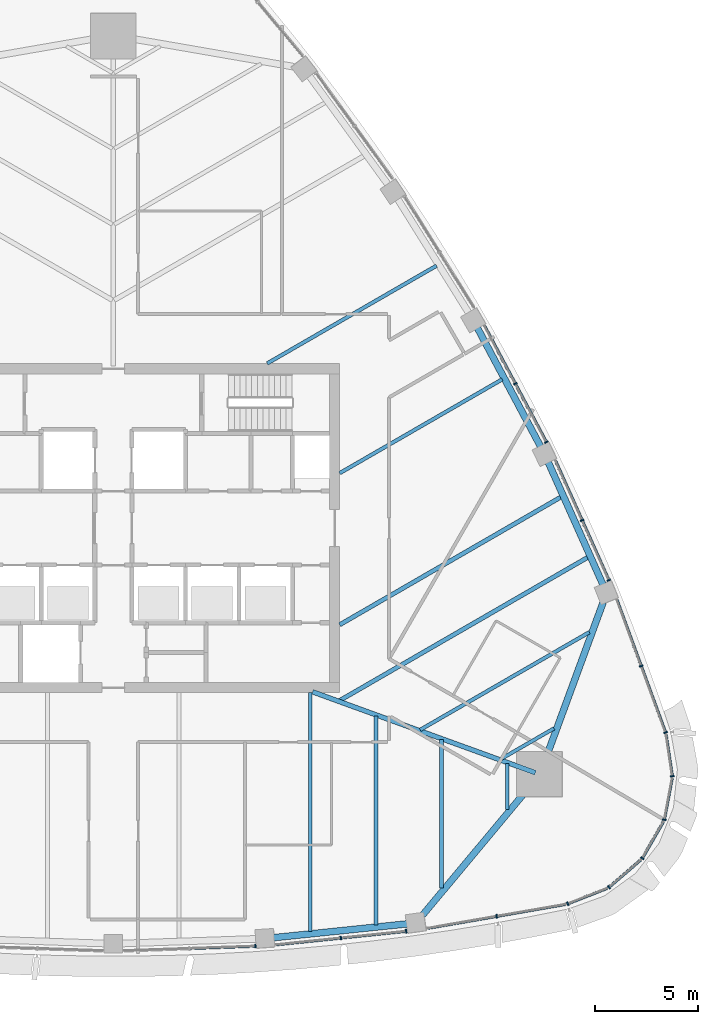
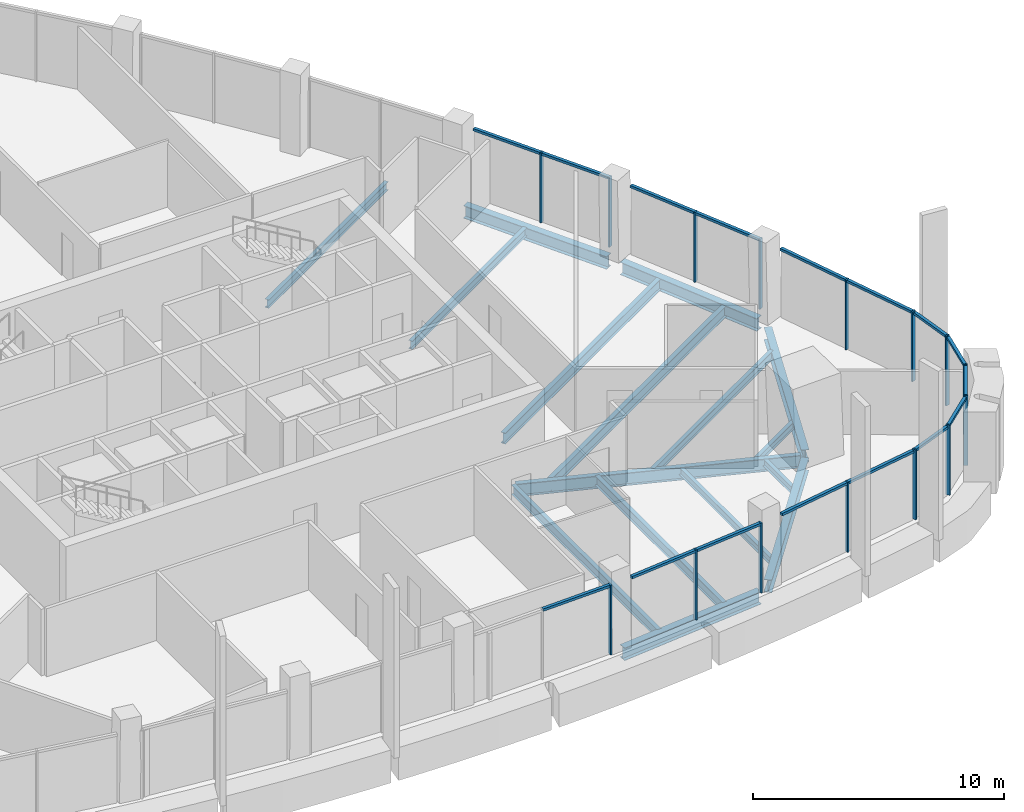
# One storey, part 4 of 18: 31 members, 16 beams, 11 elements without a shape of their own.
"""IFC4 building model written with IfcOpenShell, lengths in metres."""

from ifc_helpers import new_model, si_unit, direction, frame, origin, origin_2d, place, context, subcontext, project, spatial, rectangle, i_section, extrude, material, layer, layer_set, material_profile, profile_set, type_object, element, aggregate, save


model = new_model("IFC4")

# Units and contexts
model_context = context("Model", 3, precision=1e-05, world=origin(), true_north=direction((0.0, 1.0)))
body_context = subcontext(model_context, "Body", "Model", "MODEL_VIEW")
ifc_project = project(units=[si_unit("LENGTHUNIT", "METRE"), si_unit("AREAUNIT", "SQUARE_METRE"), si_unit("VOLUMEUNIT", "CUBIC_METRE"), si_unit("PLANEANGLEUNIT", "RADIAN"), si_unit("MASSUNIT", "GRAM", prefix="KILO")], contexts=[model_context])

# Site, building, storey
site_placement = place(None, origin())
site = spatial("IfcSite", under=ifc_project, at=site_placement, CompositionType="ELEMENT")
building_placement = place(site_placement, origin())
building = spatial("IfcBuilding", under=site, at=building_placement, Name="Sierra Prisma Convention Tower", CompositionType="ELEMENT")
storey_placement = place(building_placement, frame((0.0, 0.0, 287.0)))
storey = spatial("IfcBuildingStorey", under=building, at=storey_placement, Name="L65", CompositionType="ELEMENT", Elevation=287.0)

# Curtain wall, member
ifc_material_1 = material(Name="Aluminium and glass curtain wall", Category="aluminium")
ifc_layer = layer(ifc_material_1, 0.179931640625)
ifc_layer_set = layer_set([ifc_layer], Name="CW-1 Plain shaft curtain wall")
curtain_wall_type = type_object("IfcCurtainWallType", Name="CW-1 Plain shaft curtain wall", PredefinedType="NOTDEFINED", material=ifc_layer_set)
curtain_wall_1_placement = place(storey_placement, origin())
curtain_wall_1 = element("IfcCurtainWall", 1, at=curtain_wall_1_placement, inside=storey, type_object=curtain_wall_type, Name="CW-1 S4 L65", PredefinedType="NOTDEFINED")
ifc_material_2 = material(Name="Aluminium 6063-T6 bronze anodised", Category="aluminium")
ifc_material_profile_1 = material_profile(ifc_material_2, rectangle(XDim=0.179931640625, YDim=0.070068359375, at=origin_2d()), Name="ALU MULLION 70x180")
ifc_profile_set_1 = profile_set([ifc_material_profile_1], Name="Aluminium 6063-T6 bronze anodised")
member_type_1 = type_object("IfcMemberType", Name="CW mullion bronze", PredefinedType="MULLION", material=ifc_profile_set_1)
member_1_placement = place(storey_placement, frame((6.900390625, -20.3154296875, 0.0), z_axis=(0.0, 0.0, 1.0), x_axis=(-0.034385660465, 0.999408638323, 0.0)))
member_1 = element("IfcMember", 2, at=member_1_placement, type_object=member_type_1, Name="CW-1 mullion S4.3", PredefinedType="MULLION", context=body_context, shape_type="SweptSolid", body=[
    extrude(rectangle(XDim=0.179931640625, YDim=0.070068359375, at=origin_2d()), origin(), (0.0, 0.0, 1.0), 3.39990234375),
])

# Curtain wall, members
curtain_wall_2_placement = place(storey_placement, origin())
curtain_wall_2 = element("IfcCurtainWall", 3, at=curtain_wall_2_placement, inside=storey, type_object=curtain_wall_type, Name="CW-1 S5 L65", PredefinedType="NOTDEFINED")
member_2_placement = place(storey_placement, frame((11.056640625, -19.91943359375, 0.0), z_axis=(0.0, 0.0, 1.0), x_axis=(-0.1029943546, 0.994681940582, 0.0)))
member_2 = element("IfcMember", 4, at=member_2_placement, type_object=member_type_1, Name="CW-1 mullion S5.2", PredefinedType="MULLION", context=body_context, shape_type="SweptSolid", body=[
    extrude(rectangle(XDim=0.179931640625, YDim=0.070068359375, at=origin_2d()), origin(), (0.0, 0.0, 1.0), 3.39990234375),
])
member_3_placement = place(storey_placement, frame((14.2333984375, -19.590576171875, 0.0), z_axis=(0.0, 0.0, 1.0), x_axis=(-0.1029943546, 0.994681940582, 0.0)))
member_3 = element("IfcMember", 5, at=member_3_placement, type_object=member_type_1, Name="CW-1 mullion S5.3", PredefinedType="MULLION", context=body_context, shape_type="SweptSolid", body=[
    extrude(rectangle(XDim=0.179931640625, YDim=0.070068359375, at=origin_2d()), origin(), (0.0, 0.0, 1.0), 3.39990234375),
])

# Curtain wall, member
curtain_wall_3_placement = place(storey_placement, origin())
curtain_wall_3 = element("IfcCurtainWall", 6, at=curtain_wall_3_placement, inside=storey, type_object=curtain_wall_type, Name="CW-1 S6 L65", PredefinedType="NOTDEFINED")
member_4_placement = place(storey_placement, frame((18.627197265625, -18.8642578125, 0.0), z_axis=(0.0, 0.0, 1.0), x_axis=(-0.171115937493, 0.985250899992, 0.0)))
member_4 = element("IfcMember", 7, at=member_4_placement, type_object=member_type_1, Name="CW-1 mullion S6.2", PredefinedType="MULLION", context=body_context, shape_type="SweptSolid", body=[
    extrude(rectangle(XDim=0.179931640625, YDim=0.070068359375, at=origin_2d()), origin(), (0.0, 0.0, 1.0), 3.39990234375),
])

curtain_wall_4_placement = place(storey_placement, origin())
curtain_wall_4 = element("IfcCurtainWall", 8, at=curtain_wall_4_placement, inside=storey, type_object=curtain_wall_type, Name="CW-1 SE1 L65", PredefinedType="NOTDEFINED")
member_5_placement = place(storey_placement, frame((22.08447265625, -18.256591796875, 0.0), z_axis=(0.0, 0.0, 1.0), x_axis=(-0.365828842978, 0.930682146409, 0.0)))
member_5 = element("IfcMember", 9, at=member_5_placement, type_object=member_type_1, Name="CW-1 mullion SE1.1", PredefinedType="MULLION", context=body_context, shape_type="SweptSolid", body=[
    extrude(rectangle(XDim=0.179931640625, YDim=0.070068359375, at=origin_2d()), origin(), (0.0, 0.0, 1.0), 3.39990234375),
])

curtain_wall_5_placement = place(storey_placement, origin())
curtain_wall_5 = element("IfcCurtainWall", 10, at=curtain_wall_5_placement, inside=storey, type_object=curtain_wall_type, Name="CW-1 SE2 L65", PredefinedType="NOTDEFINED")
member_6_placement = place(storey_placement, frame((24.08349609375, -17.45849609375, 0.0), z_axis=(0.0, 0.0, 1.0), x_axis=(-0.652486014506, 0.75780076595, 0.0)))
member_6 = element("IfcMember", 11, at=member_6_placement, type_object=member_type_1, Name="CW-1 mullion SE2.1", PredefinedType="MULLION", context=body_context, shape_type="SweptSolid", body=[
    extrude(rectangle(XDim=0.179931640625, YDim=0.070068359375, at=origin_2d()), origin(), (0.0, 0.0, 1.0), 3.39990234375),
])

curtain_wall_6_placement = place(storey_placement, origin())
curtain_wall_6 = element("IfcCurtainWall", 12, at=curtain_wall_6_placement, inside=storey, type_object=curtain_wall_type, Name="CW-1 SE3 L65", PredefinedType="NOTDEFINED")
member_7_placement = place(storey_placement, frame((25.70703125, -16.04541015625, 0.0), z_axis=(0.0, 0.0, 1.0), x_axis=(-0.866025403784, 0.5, 0.0)))
member_7 = element("IfcMember", 13, at=member_7_placement, type_object=member_type_1, Name="CW-1 mullion SE3.1", PredefinedType="MULLION", context=body_context, shape_type="SweptSolid", body=[
    extrude(rectangle(XDim=0.179931640625, YDim=0.070068359375, at=origin_2d()), origin(), (0.0, 0.0, 1.0), 3.39990234375),
])

curtain_wall_7_placement = place(storey_placement, origin())
curtain_wall_7 = element("IfcCurtainWall", 14, at=curtain_wall_7_placement, inside=storey, type_object=curtain_wall_type, Name="CW-1 SE4 L65", PredefinedType="NOTDEFINED")
member_8_placement = place(storey_placement, frame((26.773193359375, -14.175537109375, 0.0), z_axis=(0.0, 0.0, 1.0), x_axis=(-0.982517721573, 0.186169081201, 0.0)))
member_8 = element("IfcMember", 15, at=member_8_placement, type_object=member_type_1, Name="CW-1 mullion SE4.1", PredefinedType="MULLION", context=body_context, shape_type="SweptSolid", body=[
    extrude(rectangle(XDim=0.179931640625, YDim=0.070068359375, at=origin_2d()), origin(), (0.0, 0.0, 1.0), 3.39990234375),
])

curtain_wall_8_placement = place(storey_placement, origin())
curtain_wall_8 = element("IfcCurtainWall", 16, at=curtain_wall_8_placement, inside=storey, type_object=curtain_wall_type, Name="CW-1 SE5 L65", PredefinedType="NOTDEFINED")
member_9_placement = place(storey_placement, frame((27.16259765625, -12.05859375, 0.0), z_axis=(0.0, 0.0, 1.0), x_axis=(-0.988908803128, -0.148524001749, 0.0)))
member_9 = element("IfcMember", 17, at=member_9_placement, type_object=member_type_1, Name="CW-1 mullion SE5.1", PredefinedType="MULLION", context=body_context, shape_type="SweptSolid", body=[
    extrude(rectangle(XDim=0.179931640625, YDim=0.070068359375, at=origin_2d()), origin(), (0.0, 0.0, 1.0), 3.39990234375),
])

# Curtain wall, members
curtain_wall_9_placement = place(storey_placement, origin())
curtain_wall_9 = element("IfcCurtainWall", 18, at=curtain_wall_9_placement, inside=storey, type_object=curtain_wall_type, Name="CW-1 NE1 L65", PredefinedType="NOTDEFINED")
member_10_placement = place(storey_placement, frame((26.835693359375, -9.929931640625, 0.0), z_axis=(0.0, 0.0, 1.0), x_axis=(-0.938810277241, -0.344434701135, 0.0)))
member_10 = element("IfcMember", 19, at=member_10_placement, type_object=member_type_1, Name="CW-1 mullion NE1.1", PredefinedType="MULLION", context=body_context, shape_type="SweptSolid", body=[
    extrude(rectangle(XDim=0.179931640625, YDim=0.070068359375, at=origin_2d()), origin(), (0.0, 0.0, 1.0), 3.39990234375),
])
member_11_placement = place(storey_placement, frame((25.650634765625, -6.69970703125, 0.0), z_axis=(0.0, 0.0, 1.0), x_axis=(-0.938810277241, -0.344434701135, 0.0)))
member_11 = element("IfcMember", 20, at=member_11_placement, type_object=member_type_1, Name="CW-1 mullion NE1.2", PredefinedType="MULLION", context=body_context, shape_type="SweptSolid", body=[
    extrude(rectangle(XDim=0.179931640625, YDim=0.070068359375, at=origin_2d()), origin(), (0.0, 0.0, 1.0), 3.39990234375),
])

curtain_wall_10_placement = place(storey_placement, origin())
curtain_wall_10 = element("IfcCurtainWall", 21, at=curtain_wall_10_placement, inside=storey, type_object=curtain_wall_type, Name="CW-1 NE2 L65", PredefinedType="NOTDEFINED")
member_12_placement = place(storey_placement, frame((24.082763671875, -2.531494140625, 0.0), z_axis=(0.0, 0.0, 1.0), x_axis=(-0.91291700653, -0.408145242761, 0.0)))
member_12 = element("IfcMember", 22, at=member_12_placement, type_object=member_type_1, Name="CW-1 mullion NE2.1", PredefinedType="MULLION", context=body_context, shape_type="SweptSolid", body=[
    extrude(rectangle(XDim=0.179931640625, YDim=0.070068359375, at=origin_2d()), origin(), (0.0, 0.0, 1.0), 3.39990234375),
])
member_13_placement = place(storey_placement, frame((22.779052734375, 0.38427734375, 0.0), z_axis=(0.0, 0.0, 1.0), x_axis=(-0.91291700653, -0.408145242761, 0.0)))
member_13 = element("IfcMember", 23, at=member_13_placement, type_object=member_type_1, Name="CW-1 mullion NE2.2", PredefinedType="MULLION", context=body_context, shape_type="SweptSolid", body=[
    extrude(rectangle(XDim=0.179931640625, YDim=0.070068359375, at=origin_2d()), origin(), (0.0, 0.0, 1.0), 3.39990234375),
])

curtain_wall_11_placement = place(storey_placement, origin())
curtain_wall_11 = element("IfcCurtainWall", 24, at=curtain_wall_11_placement, inside=storey, type_object=curtain_wall_type, Name="CW-1 NE3 L65", PredefinedType="NOTDEFINED")
member_14_placement = place(storey_placement, frame((21.0439453125, 4.181640625, 0.0), z_axis=(0.0, 0.0, 1.0), x_axis=(-0.882706099782, -0.469925463673, 0.0)))
member_14 = element("IfcMember", 25, at=member_14_placement, type_object=member_type_1, Name="CW-1 mullion NE3.1", PredefinedType="MULLION", context=body_context, shape_type="SweptSolid", body=[
    extrude(rectangle(XDim=0.179931640625, YDim=0.070068359375, at=origin_2d()), origin(), (0.0, 0.0, 1.0), 3.39990234375),
])
member_15_placement = place(storey_placement, frame((19.53564453125, 7.014892578125, 0.0), z_axis=(0.0, 0.0, 1.0), x_axis=(-0.882706099782, -0.469925463673, 0.0)))
member_15 = element("IfcMember", 26, at=member_15_placement, type_object=member_type_1, Name="CW-1 mullion NE3.2", PredefinedType="MULLION", context=body_context, shape_type="SweptSolid", body=[
    extrude(rectangle(XDim=0.179931640625, YDim=0.070068359375, at=origin_2d()), origin(), (0.0, 0.0, 1.0), 3.39990234375),
])

# Member
ifc_material_3 = material(Name="Aluminium 6063-T6 bronze anodised", Category="aluminium")
ifc_material_profile_2 = material_profile(ifc_material_3, rectangle(XDim=0.139892578125, YDim=0.1201171875, at=origin_2d()), Name="ALU TRANSOM 120x140")
ifc_profile_set_2 = profile_set([ifc_material_profile_2], Name="Aluminium 6063-T6 bronze anodised")
member_type_2 = type_object("IfcMemberType", Name="CW transom bronze", PredefinedType="USERDEFINED", material=ifc_profile_set_2)
member_16_placement = place(storey_placement, frame((3.7275390625, -20.424560546875, 3.340087890625), z_axis=(0.999409227133, 0.034368542628, 0.0), x_axis=(-0.034368542628, 0.999409227133, 0.0)))
member_16 = element("IfcMember", 27, at=member_16_placement, type_object=member_type_2, Name="CW-1 transom S4.2", ObjectType="TRANSOM", PredefinedType="USERDEFINED", context=body_context, shape_type="SweptSolid", body=[
    extrude(rectangle(XDim=0.139892578125, YDim=0.1201171875, at=origin_2d()), origin(), (0.0, 0.0, 1.0), 3.139892578125),
])

aggregate(curtain_wall_1, [member_1, member_16])

member_17_placement = place(storey_placement, frame((7.91455078125, -20.244873046875, 3.340087890625), z_axis=(0.99468047831, 0.103008475714, 0.0), x_axis=(-0.103008475714, 0.99468047831, 0.0)))
member_17 = element("IfcMember", 28, at=member_17_placement, type_object=member_type_2, Name="CW-1 transom S5.1", ObjectType="TRANSOM", PredefinedType="USERDEFINED", context=body_context, shape_type="SweptSolid", body=[
    extrude(rectangle(XDim=0.139892578125, YDim=0.1201171875, at=origin_2d()), origin(), (0.0, 0.0, 1.0), 3.123779296875),
])

member_18_placement = place(storey_placement, frame((11.09130859375, -19.915771484375, 3.340087890625), z_axis=(0.994681307498, 0.103000468517, 0.0), x_axis=(-0.103000468517, 0.994681307498, 0.0)))
member_18 = element("IfcMember", 29, at=member_18_placement, type_object=member_type_2, Name="CW-1 transom S5.2", ObjectType="TRANSOM", PredefinedType="USERDEFINED", context=body_context, shape_type="SweptSolid", body=[
    extrude(rectangle(XDim=0.139892578125, YDim=0.1201171875, at=origin_2d()), origin(), (0.0, 0.0, 1.0), 3.1240234375),
])

aggregate(curtain_wall_2, [member_2, member_3, member_17, member_18])

member_19_placement = place(storey_placement, frame((15.271728515625, -19.447021484375, 3.340087890625), z_axis=(0.98525743667, 0.171078296362, 0.0), x_axis=(-0.171078296362, 0.98525743667, 0.0)))
member_19 = element("IfcMember", 30, at=member_19_placement, type_object=member_type_2, Name="CW-1 transom S6.1", ObjectType="TRANSOM", PredefinedType="USERDEFINED", context=body_context, shape_type="SweptSolid", body=[
    extrude(rectangle(XDim=0.139892578125, YDim=0.1201171875, at=origin_2d()), origin(), (0.0, 0.0, 1.0), 3.370849609375),
])

member_20_placement = place(storey_placement, frame((18.661865234375, -18.858154296875, 3.340087890625), z_axis=(0.98525743667, 0.171078296362, 0.0), x_axis=(-0.171078296362, 0.98525743667, 0.0)))
member_20 = element("IfcMember", 31, at=member_20_placement, type_object=member_type_2, Name="CW-1 transom S6.2", ObjectType="TRANSOM", PredefinedType="USERDEFINED", context=body_context, shape_type="SweptSolid", body=[
    extrude(rectangle(XDim=0.139892578125, YDim=0.1201171875, at=origin_2d()), origin(), (0.0, 0.0, 1.0), 3.370849609375),
])

aggregate(curtain_wall_3, [member_4, member_19, member_20])

member_21_placement = place(storey_placement, frame((22.116943359375, -18.243896484375, 3.340087890625), z_axis=(0.930699923682, 0.365783613709, 0.0), x_axis=(-0.365783613709, 0.930699923682, 0.0)))
member_21 = element("IfcMember", 32, at=member_21_placement, type_object=member_type_2, Name="CW-1 transom SE1.1", ObjectType="TRANSOM", PredefinedType="USERDEFINED", context=body_context, shape_type="SweptSolid", body=[
    extrude(rectangle(XDim=0.139892578125, YDim=0.1201171875, at=origin_2d()), origin(), (0.0, 0.0, 1.0), 2.014404296875),
])

aggregate(curtain_wall_4, [member_5, member_21])

member_22_placement = place(storey_placement, frame((24.10986328125, -17.435791015625, 3.340087890625), z_axis=(0.757800427892, 0.652486407128, 0.0), x_axis=(-0.652486407128, 0.757800427892, 0.0)))
member_22 = element("IfcMember", 33, at=member_22_placement, type_object=member_type_2, Name="CW-1 transom SE2.1", ObjectType="TRANSOM", PredefinedType="USERDEFINED", context=body_context, shape_type="SweptSolid", body=[
    extrude(rectangle(XDim=0.139892578125, YDim=0.1201171875, at=origin_2d()), origin(), (0.0, 0.0, 1.0), 2.0146484375),
])

aggregate(curtain_wall_5, [member_6, member_22])

member_23_placement = place(storey_placement, frame((25.724365234375, -16.01513671875, 3.340087890625), z_axis=(0.500023174947, 0.866012023309, 0.0), x_axis=(-0.866012023309, 0.500023174947, 0.0)))
member_23 = element("IfcMember", 34, at=member_23_placement, type_object=member_type_2, Name="CW-1 transom SE3.1", ObjectType="TRANSOM", PredefinedType="USERDEFINED", context=body_context, shape_type="SweptSolid", body=[
    extrude(rectangle(XDim=0.139892578125, YDim=0.1201171875, at=origin_2d()), origin(), (0.0, 0.0, 1.0), 2.0146484375),
])

aggregate(curtain_wall_6, [member_7, member_23])

member_24_placement = place(storey_placement, frame((26.77978515625, -14.14111328125, 3.340087890625), z_axis=(0.186154134727, 0.982520553538, 0.0), x_axis=(-0.982520553538, 0.186154134727, 0.0)))
member_24 = element("IfcMember", 35, at=member_24_placement, type_object=member_type_2, Name="CW-1 transom SE4.1", ObjectType="TRANSOM", PredefinedType="USERDEFINED", context=body_context, shape_type="SweptSolid", body=[
    extrude(rectangle(XDim=0.139892578125, YDim=0.1201171875, at=origin_2d()), origin(), (0.0, 0.0, 1.0), 2.014404296875),
])

aggregate(curtain_wall_7, [member_8, member_24])

member_25_placement = place(storey_placement, frame((27.157470703125, -12.02392578125, 3.340087890625), z_axis=(-0.148595301004, 0.98889809208, 0.0), x_axis=(-0.98889809208, -0.148595301004, 0.0)))
member_25 = element("IfcMember", 36, at=member_25_placement, type_object=member_type_2, Name="CW-1 transom SE5.1", ObjectType="TRANSOM", PredefinedType="USERDEFINED", context=body_context, shape_type="SweptSolid", body=[
    extrude(rectangle(XDim=0.139892578125, YDim=0.1201171875, at=origin_2d()), origin(), (0.0, 0.0, 1.0), 2.014404296875),
])

aggregate(curtain_wall_8, [member_9, member_25])

member_26_placement = place(storey_placement, frame((26.82373046875, -9.89697265625, 3.340087890625), z_axis=(-0.344463196608, 0.938799822211, 0.0), x_axis=(-0.938799822211, -0.344463196608, 0.0)))
member_26 = element("IfcMember", 37, at=member_26_placement, type_object=member_type_2, Name="CW-1 transom NE1.1", ObjectType="TRANSOM", PredefinedType="USERDEFINED", context=body_context, shape_type="SweptSolid", body=[
    extrude(rectangle(XDim=0.139892578125, YDim=0.1201171875, at=origin_2d()), origin(), (0.0, 0.0, 1.0), 3.370849609375),
])

member_27_placement = place(storey_placement, frame((25.638427734375, -6.666748046875, 3.340087890625), z_axis=(-0.344399360966, 0.938823242238, 0.0), x_axis=(-0.938823242238, -0.344399360966, 0.0)))
member_27 = element("IfcMember", 38, at=member_27_placement, type_object=member_type_2, Name="CW-1 transom NE1.2", ObjectType="TRANSOM", PredefinedType="USERDEFINED", context=body_context, shape_type="SweptSolid", body=[
    extrude(rectangle(XDim=0.139892578125, YDim=0.1201171875, at=origin_2d()), origin(), (0.0, 0.0, 1.0), 3.370849609375),
])

aggregate(curtain_wall_9, [member_10, member_11, member_26, member_27])

member_28_placement = place(storey_placement, frame((24.068359375, -2.49951171875, 3.340087890625), z_axis=(-0.408095293109, 0.912939336288, 0.0), x_axis=(-0.912939336288, -0.408095293109, 0.0)))
member_28 = element("IfcMember", 39, at=member_28_placement, type_object=member_type_2, Name="CW-1 transom NE2.1", ObjectType="TRANSOM", PredefinedType="USERDEFINED", context=body_context, shape_type="SweptSolid", body=[
    extrude(rectangle(XDim=0.139892578125, YDim=0.1201171875, at=origin_2d()), origin(), (0.0, 0.0, 1.0), 3.1240234375),
])

member_29_placement = place(storey_placement, frame((22.764892578125, 0.416259765625, 3.340087890625), z_axis=(-0.408160424114, 0.912910219127, 0.0), x_axis=(-0.912910219127, -0.408160424114, 0.0)))
member_29 = element("IfcMember", 40, at=member_29_placement, type_object=member_type_2, Name="CW-1 transom NE2.2", ObjectType="TRANSOM", PredefinedType="USERDEFINED", context=body_context, shape_type="SweptSolid", body=[
    extrude(rectangle(XDim=0.139892578125, YDim=0.1201171875, at=origin_2d()), origin(), (0.0, 0.0, 1.0), 3.1240234375),
])

aggregate(curtain_wall_10, [member_12, member_13, member_28, member_29])

member_30_placement = place(storey_placement, frame((21.027587890625, 4.212646484375, 3.340087890625), z_axis=(-0.469958532348, 0.882688494245, 0.0), x_axis=(-0.882688494245, -0.469958532348, 0.0)))
member_30 = element("IfcMember", 41, at=member_30_placement, type_object=member_type_2, Name="CW-1 transom NE3.1", ObjectType="TRANSOM", PredefinedType="USERDEFINED", context=body_context, shape_type="SweptSolid", body=[
    extrude(rectangle(XDim=0.139892578125, YDim=0.1201171875, at=origin_2d()), origin(), (0.0, 0.0, 1.0), 3.139892578125),
])

member_31_placement = place(storey_placement, frame((19.51904296875, 7.0458984375, 3.340087890625), z_axis=(-0.469897946134, 0.882720748719, 0.0), x_axis=(-0.882720748719, -0.469897946134, 0.0)))
member_31 = element("IfcMember", 42, at=member_31_placement, type_object=member_type_2, Name="CW-1 transom NE3.2", ObjectType="TRANSOM", PredefinedType="USERDEFINED", context=body_context, shape_type="SweptSolid", body=[
    extrude(rectangle(XDim=0.139892578125, YDim=0.1201171875, at=origin_2d()), origin(), (0.0, 0.0, 1.0), 3.1396484375),
])

aggregate(curtain_wall_11, [member_14, member_15, member_30, member_31])

# Beams
ifc_material_4 = material(Name="Steel ASTM A992 Gr 50", Category="steel")
ifc_material_profile_3 = material_profile(ifc_material_4, i_section(OverallWidth=0.172119140625, OverallDepth=0.35791015625, WebThickness=0.0078125, FlangeThickness=0.01318359375, at=origin_2d()), Name="W360x57")
ifc_profile_set_3 = profile_set([ifc_material_profile_3], Name="Steel ASTM A992 Gr 50")
beam_type_1 = type_object("IfcBeamType", Name="Floor joist W360x57", PredefinedType="JOIST", material=ifc_profile_set_3)
beam_1_placement = place(storey_placement, frame((15.94873046875, -17.50244140625, -0.3291015625), z_axis=(0.0, 1.0, 0.0), x_axis=(-1.0, 0.0, 0.0)))
element("IfcBeam", 43, at=beam_1_placement, inside=storey, type_object=beam_type_1, Name="Floor joist L65 S12", PredefinedType="JOIST", context=body_context, shape_type="SweptSolid", body=[
    extrude(i_section(OverallWidth=0.172119140625, OverallDepth=0.35791015625, WebThickness=0.0078125, FlangeThickness=0.01318359375, at=origin_2d()), origin(), (0.0, 0.0, 1.0), 7.220703125),
])
beam_2_placement = place(storey_placement, frame((19.138427734375, -13.678466796875, -0.3291015625), z_axis=(0.0, 1.0, 0.0), x_axis=(-1.0, 0.0, 0.0)))
element("IfcBeam", 44, at=beam_2_placement, inside=storey, type_object=beam_type_1, Name="Floor joist L65 S13", PredefinedType="JOIST", context=body_context, shape_type="SweptSolid", body=[
    extrude(i_section(OverallWidth=0.172119140625, OverallDepth=0.35791015625, WebThickness=0.0078125, FlangeThickness=0.01318359375, at=origin_2d()), origin(), (0.0, 0.0, 1.0), 2.23828125),
])
beam_3_placement = place(storey_placement, frame((21.415283203125, -9.735107421875, -0.3291015625), z_axis=(-0.866042744086, -0.499969964513, 0.0), x_axis=(0.499969964513, -0.866042744086, 0.0)))
element("IfcBeam", 45, at=beam_3_placement, inside=storey, type_object=beam_type_1, Name="Floor joist L65 NE01", PredefinedType="JOIST", context=body_context, shape_type="SweptSolid", body=[
    extrude(i_section(OverallWidth=0.172119140625, OverallDepth=0.35791015625, WebThickness=0.0078125, FlangeThickness=0.01318359375, at=origin_2d()), origin(), (0.0, 0.0, 1.0), 2.988525390625),
])
ifc_material_5 = material(Name="Steel ASTM A992 Gr 50", Category="steel")
ifc_material_profile_4 = material_profile(ifc_material_5, i_section(OverallWidth=0.177978515625, OverallDepth=0.406982421875, WebThickness=0.0078125, FlangeThickness=0.0126953125, at=origin_2d()), Name="W410x60")
ifc_profile_set_4 = profile_set([ifc_material_profile_4], Name="Steel ASTM A992 Gr 50")
beam_type_2 = type_object("IfcBeamType", Name="Floor joist W410x60", PredefinedType="JOIST", material=ifc_profile_set_4)
beam_4_placement = place(storey_placement, frame((23.1318359375, -5.060546875, -0.353515625), z_axis=(-0.866015554752, -0.500017058637, 0.0), x_axis=(0.500017058637, -0.866015554752, 0.0)))
element("IfcBeam", 46, at=beam_4_placement, inside=storey, type_object=beam_type_2, Name="Floor joist L65 NE02", PredefinedType="JOIST", context=body_context, shape_type="SweptSolid", body=[
    extrude(i_section(OverallWidth=0.177978515625, OverallDepth=0.406982421875, WebThickness=0.0078125, FlangeThickness=0.0126953125, at=origin_2d()), origin(), (0.0, 0.0, 1.0), 9.492919921875),
])
beam_5_placement = place(storey_placement, frame((18.8984375, 7.227783203125, -0.353515625), z_axis=(-0.866030456496, -0.499991248344, 0.0), x_axis=(0.499991248344, -0.866030456496, 0.0)))
element("IfcBeam", 47, at=beam_5_placement, inside=storey, type_object=beam_type_2, Name="Floor joist L65 NE06", PredefinedType="JOIST", context=body_context, shape_type="SweptSolid", body=[
    extrude(i_section(OverallWidth=0.177978515625, OverallDepth=0.406982421875, WebThickness=0.0078125, FlangeThickness=0.0126953125, at=origin_2d()), origin(), (0.0, 0.0, 1.0), 9.120361328125),
])
beam_6_placement = place(storey_placement, frame((15.708740234375, 12.752685546875, -0.353515625), z_axis=(-0.866020054385, -0.500009265317, 0.0), x_axis=(0.500009265317, -0.866020054385, 0.0)))
element("IfcBeam", 48, at=beam_6_placement, inside=storey, type_object=beam_type_2, Name="Floor joist L65 NE08", PredefinedType="JOIST", context=body_context, shape_type="SweptSolid", body=[
    extrude(i_section(OverallWidth=0.177978515625, OverallDepth=0.406982421875, WebThickness=0.0078125, FlangeThickness=0.0126953125, at=origin_2d()), origin(), (0.0, 0.0, 1.0), 9.505126953125),
])
ifc_material_6 = material(Name="Steel ASTM A992 Gr 50", Category="steel")
ifc_material_profile_5 = material_profile(ifc_material_6, i_section(OverallWidth=0.18994140625, OverallDepth=0.45703125, WebThickness=0.009033203125, FlangeThickness=0.014404296875, at=origin_2d()), Name="W460x74")
ifc_profile_set_5 = profile_set([ifc_material_profile_5], Name="Steel ASTM A992 Gr 50")
beam_type_3 = type_object("IfcBeamType", Name="Floor joist W460x74", PredefinedType="JOIST", material=ifc_profile_set_5)
beam_7_placement = place(storey_placement, frame((9.569091796875, -19.6083984375, -0.37841796875), z_axis=(0.0, 1.0, 0.0), x_axis=(-1.0, 0.0, 0.0)))
element("IfcBeam", 49, at=beam_7_placement, inside=storey, type_object=beam_type_3, Name="Floor joist L65 S10", PredefinedType="JOIST", context=body_context, shape_type="SweptSolid", body=[
    extrude(i_section(OverallWidth=0.18994140625, OverallDepth=0.45703125, WebThickness=0.009033203125, FlangeThickness=0.014404296875, at=origin_2d()), origin(), (0.0, 0.0, 1.0), 11.6083984375),
])
beam_8_placement = place(storey_placement, frame((12.7587890625, -19.278076171875, -0.37841796875), z_axis=(0.0, 1.0, 0.0), x_axis=(-1.0, 0.0, 0.0)))
element("IfcBeam", 50, at=beam_8_placement, inside=storey, type_object=beam_type_3, Name="Floor joist L65 S11", PredefinedType="JOIST", context=body_context, shape_type="SweptSolid", body=[
    extrude(i_section(OverallWidth=0.18994140625, OverallDepth=0.45703125, WebThickness=0.009033203125, FlangeThickness=0.014404296875, at=origin_2d()), origin(), (0.0, 0.0, 1.0), 10.154541015625),
])
ifc_material_7 = material(Name="Steel ASTM A992 Gr 50", Category="steel")
ifc_material_profile_6 = material_profile(ifc_material_7, i_section(OverallWidth=0.208984375, OverallDepth=0.532958984375, WebThickness=0.01025390625, FlangeThickness=0.015625, at=origin_2d()), Name="W530x92")
ifc_profile_set_6 = profile_set([ifc_material_profile_6], Name="Steel ASTM A992 Gr 50")
beam_type_4 = type_object("IfcBeamType", Name="Floor joist W530x92", PredefinedType="JOIST", material=ifc_profile_set_6)
beam_9_placement = place(storey_placement, frame((23.074951171875, -1.410400390625, -0.41650390625), z_axis=(-0.866024408476, -0.500001723921, 0.0), x_axis=(0.500001723921, -0.866024408476, 0.0)))
element("IfcBeam", 51, at=beam_9_placement, inside=storey, type_object=beam_type_4, Name="Floor joist L65 NE03", PredefinedType="JOIST", context=body_context, shape_type="SweptSolid", body=[
    extrude(i_section(OverallWidth=0.208984375, OverallDepth=0.532958984375, WebThickness=0.01025390625, FlangeThickness=0.015625, at=origin_2d()), origin(), (0.0, 0.0, 1.0), 13.94921875),
])
beam_10_placement = place(storey_placement, frame((21.76611328125, 1.51708984375, -0.41650390625), z_axis=(-0.866025337206, -0.500000115317, 0.0), x_axis=(0.500000115317, -0.866025337206, 0.0)))
element("IfcBeam", 52, at=beam_10_placement, inside=storey, type_object=beam_type_4, Name="Floor joist L65 NE04", PredefinedType="JOIST", context=body_context, shape_type="SweptSolid", body=[
    extrude(i_section(OverallWidth=0.208984375, OverallDepth=0.532958984375, WebThickness=0.01025390625, FlangeThickness=0.015625, at=origin_2d()), origin(), (0.0, 0.0, 1.0), 12.431640625),
])
ifc_material_8 = material(Name="Steel ASTM A992 Gr 50", Category="steel")
ifc_material_profile_7 = material_profile(ifc_material_8, i_section(OverallWidth=0.22998046875, OverallDepth=0.616943359375, WebThickness=0.01318359375, FlangeThickness=0.022216796875, at=origin_2d()), Name="W610x140")
ifc_profile_set_7 = profile_set([ifc_material_profile_7], Name="Steel ASTM A992 Gr 50")
beam_type_5 = type_object("IfcBeamType", Name="Radial girder W610x140", PredefinedType="BEAM", material=ifc_profile_set_7)
beam_11_placement = place(storey_placement, frame((20.51318359375, -11.890380859375, -0.45849609375), z_axis=(-0.939941250713, 0.341336264128, 0.0), x_axis=(-0.341336264128, -0.939941250713, 0.0)))
element("IfcBeam", 53, at=beam_11_placement, inside=storey, type_object=beam_type_5, Name="Radial girder L65 SE", PredefinedType="BEAM", context=body_context, shape_type="SweptSolid", body=[
    extrude(i_section(OverallWidth=0.22998046875, OverallDepth=0.616943359375, WebThickness=0.01318359375, FlangeThickness=0.022216796875, at=origin_2d()), origin(), (0.0, 0.0, 1.0), 11.517578125),
])
ifc_material_9 = material(Name="Steel ASTM A992 Gr 50", Category="steel")
ifc_material_profile_8 = material_profile(ifc_material_9, i_section(OverallWidth=0.324951171875, OverallDepth=0.615966796875, WebThickness=0.013916015625, FlangeThickness=0.021484375, at=origin_2d()), Name="W610x174")
ifc_profile_set_8 = profile_set([ifc_material_profile_8], Name="Steel ASTM A992 Gr 50")
beam_type_6 = type_object("IfcBeamType", Name="Spandrel beam W610x174", PredefinedType="BEAM", material=ifc_profile_set_8)
beam_12_placement = place(storey_placement, frame((7.70166015625, -19.915283203125, -0.4580078125), z_axis=(0.994680498793, 0.103008277921, 0.0), x_axis=(-0.103008277921, 0.994680498793, 0.0)))
element("IfcBeam", 54, at=beam_12_placement, inside=storey, type_object=beam_type_6, Name="Spandrel L65-05", PredefinedType="BEAM", context=body_context, shape_type="SweptSolid", body=[
    extrude(i_section(OverallWidth=0.324951171875, OverallDepth=0.615966796875, WebThickness=0.013916015625, FlangeThickness=0.021484375, at=origin_2d()), origin(), (0.0, 0.0, 1.0), 6.716796875),
])
beam_13_placement = place(storey_placement, frame((15.024169921875, -18.814453125, -0.4580078125), z_axis=(0.640568490061, 0.767901041503, 0.0), x_axis=(-0.767901041503, 0.640568490061, 0.0)))
element("IfcBeam", 55, at=beam_13_placement, inside=storey, type_object=beam_type_6, Name="Spandrel L65-06", PredefinedType="BEAM", context=body_context, shape_type="SweptSolid", body=[
    extrude(i_section(OverallWidth=0.324951171875, OverallDepth=0.615966796875, WebThickness=0.013916015625, FlangeThickness=0.021484375, at=origin_2d()), origin(), (0.0, 0.0, 1.0), 8.626220703125),
])
beam_14_placement = place(storey_placement, frame((20.81396484375, -11.750244140625, -0.4580078125), z_axis=(0.344770415543, 0.9386870408, 0.0), x_axis=(-0.9386870408, 0.344770415543, 0.0)))
element("IfcBeam", 56, at=beam_14_placement, inside=storey, type_object=beam_type_6, Name="Spandrel L65-07", PredefinedType="BEAM", context=body_context, shape_type="SweptSolid", body=[
    extrude(i_section(OverallWidth=0.324951171875, OverallDepth=0.615966796875, WebThickness=0.013916015625, FlangeThickness=0.021484375, at=origin_2d()), origin(), (0.0, 0.0, 1.0), 8.677978515625),
])
beam_15_placement = place(storey_placement, frame((23.83935546875, -2.84423828125, -0.4580078125), z_axis=(-0.408137312487, 0.912920551941, 0.0), x_axis=(-0.912920551941, -0.408137312487, 0.0)))
element("IfcBeam", 57, at=beam_15_placement, inside=storey, type_object=beam_type_6, Name="Spandrel L65-08", PredefinedType="BEAM", context=body_context, shape_type="SweptSolid", body=[
    extrude(i_section(OverallWidth=0.324951171875, OverallDepth=0.615966796875, WebThickness=0.013916015625, FlangeThickness=0.021484375, at=origin_2d()), origin(), (0.0, 0.0, 1.0), 6.717041015625),
])
beam_16_placement = place(storey_placement, frame((20.807861328125, 3.880859375, -0.4580078125), z_axis=(-0.469937247473, 0.88269982635, 0.0), x_axis=(-0.88269982635, -0.469937247473, 0.0)))
element("IfcBeam", 58, at=beam_16_placement, inside=storey, type_object=beam_type_6, Name="Spandrel L65-09", PredefinedType="BEAM", context=body_context, shape_type="SweptSolid", body=[
    extrude(i_section(OverallWidth=0.324951171875, OverallDepth=0.615966796875, WebThickness=0.013916015625, FlangeThickness=0.021484375, at=origin_2d()), origin(), (0.0, 0.0, 1.0), 6.716796875),
])

save(model, "model.ifc")
